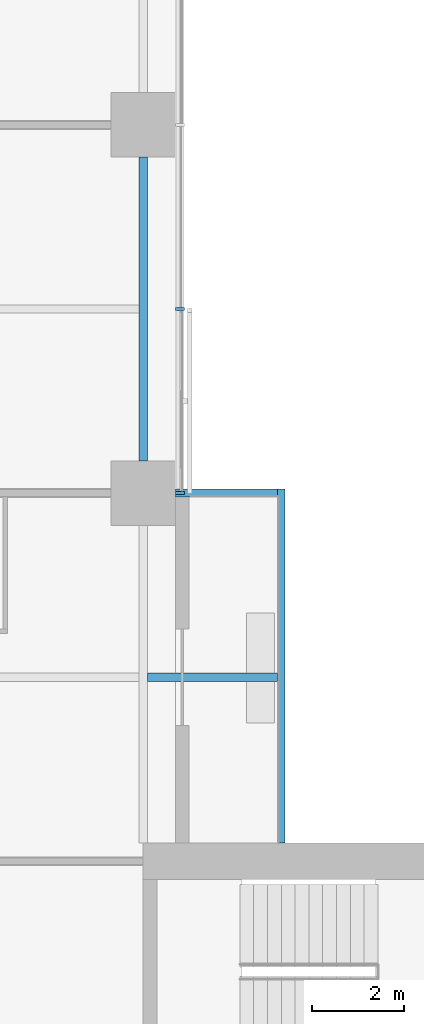
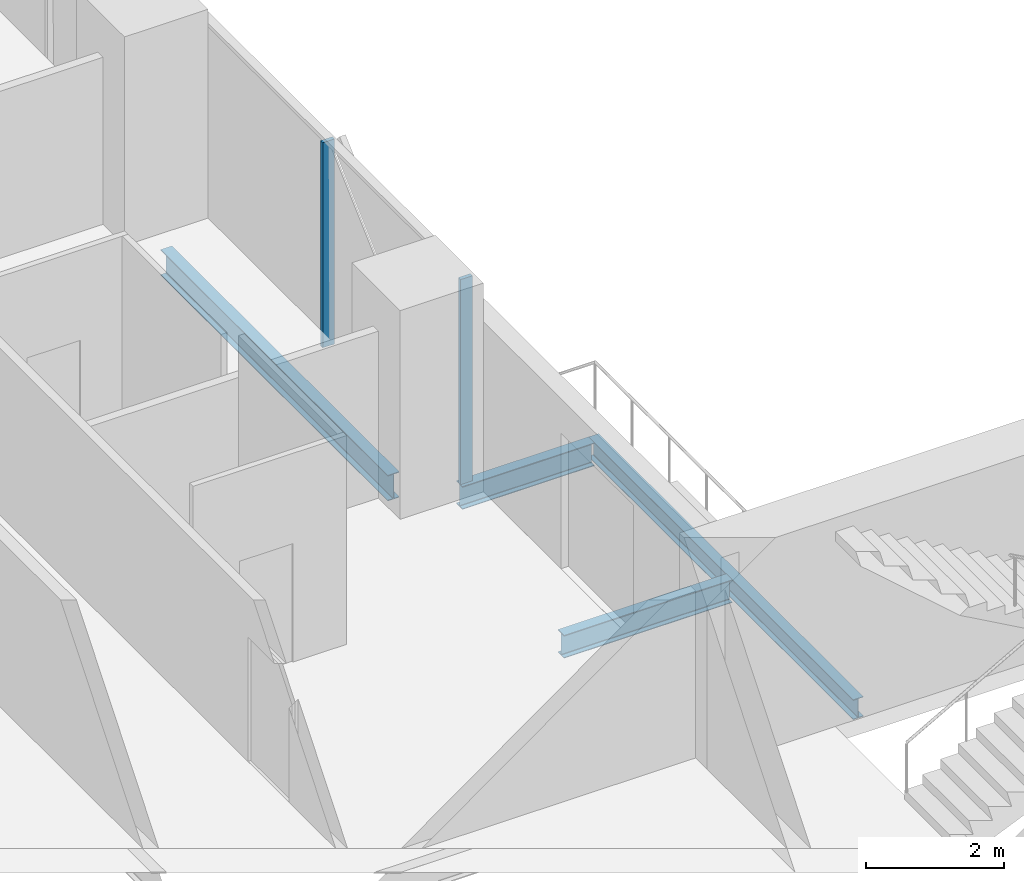
# One storey, part 10 of 27: 4 beams, 2 members, 1 element without a shape of its own.
"""IFC4 building model written with IfcOpenShell, lengths in metres."""

from ifc_helpers import new_model, si_unit, direction, frame, origin, origin_2d, place, context, subcontext, project, spatial, rectangle, i_section, extrude, material, material_profile, profile_set, type_object, element, aggregate, save


model = new_model("IFC4")

# Units and contexts
model_context = context("Model", 3, precision=1e-05, world=origin(), true_north=direction((0.0, 1.0)))
body_context = subcontext(model_context, "Body", "Model", "MODEL_VIEW")
ifc_project = project(units=[si_unit("LENGTHUNIT", "METRE"), si_unit("AREAUNIT", "SQUARE_METRE"), si_unit("VOLUMEUNIT", "CUBIC_METRE"), si_unit("PLANEANGLEUNIT", "RADIAN"), si_unit("MASSUNIT", "GRAM", prefix="KILO")], contexts=[model_context])

# Site, building, storey
site_placement = place(None, origin())
site = spatial("IfcSite", under=ifc_project, at=site_placement, CompositionType="ELEMENT")
building_placement = place(site_placement, origin())
building = spatial("IfcBuilding", under=site, at=building_placement, Name="Crosswind Convention Tower", CompositionType="ELEMENT")
storey_placement = place(building_placement, frame((0.0, 0.0, 94.199951171875)))
storey = spatial("IfcBuildingStorey", under=building, at=storey_placement, Name="L18", CompositionType="ELEMENT", Elevation=94.199951171875)

# Beams
ifc_material_1 = material(Name="Steel S355", Category="steel")
ifc_material_profile_1 = material_profile(ifc_material_1, i_section(OverallWidth=0.177734375, OverallDepth=0.406494140625, WebThickness=0.0078125, FlangeThickness=0.0126953125, FilletRadius=0.01025390625, at=origin_2d()), Name="UB 406x178x60")
ifc_profile_set_1 = profile_set([ifc_material_profile_1], Name="Steel S355")
beam_type_1 = type_object("IfcBeamType", Name="Balcony cantilever UB 406x178x60", PredefinedType="BEAM", material=ifc_profile_set_1)
beam_1_placement = place(storey_placement, frame((137.09521484375, 116.0, -0.483154296875), z_axis=(1.0, 0.0, 0.0), x_axis=(0.0, 1.0, 0.0)))
element("IfcBeam", 1, at=beam_1_placement, inside=storey, type_object=beam_type_1, Name="B35 L18 balcony cantilever NE 1", PredefinedType="BEAM", context=body_context, shape_type="SweptSolid", body=[
    extrude(i_section(OverallWidth=0.177734375, OverallDepth=0.406494140625, WebThickness=0.0078125, FlangeThickness=0.0126953125, FilletRadius=0.01025390625, at=origin_2d()), origin(), (0.0, 0.0, 1.0), 2.8193359375),
])
beam_2_placement = place(storey_placement, frame((137.699951171875, 120.0, -0.483154296875), z_axis=(1.0, 0.0, 0.0), x_axis=(0.0, 1.0, 0.0)))
element("IfcBeam", 2, at=beam_2_placement, inside=storey, type_object=beam_type_1, Name="B35 L18 balcony cantilever NE 2", PredefinedType="BEAM", context=body_context, shape_type="SweptSolid", body=[
    extrude(i_section(OverallWidth=0.177734375, OverallDepth=0.406494140625, WebThickness=0.0078125, FlangeThickness=0.0126953125, FilletRadius=0.01025390625, at=origin_2d()), origin(), (0.0, 0.0, 1.0), 2.214599609375),
])
ifc_material_profile_2 = material_profile(ifc_material_1, i_section(OverallWidth=0.1708984375, OverallDepth=0.35205078125, WebThickness=0.0068359375, FlangeThickness=0.009765625, FilletRadius=0.01025390625, at=origin_2d()), Name="UB 356x171x45")
ifc_profile_set_2 = profile_set([ifc_material_profile_2], Name="Steel S355")
beam_type_2 = type_object("IfcBeamType", Name="Balcony edge beam UB 356x171x45", PredefinedType="BEAM", material=ifc_profile_set_2)
beam_3_placement = place(storey_placement, frame((140.0, 112.39990234375, -0.4560546875), z_axis=(0.0, 1.0, 0.0), x_axis=(-1.0, 0.0, 0.0)))
element("IfcBeam", 3, at=beam_3_placement, inside=storey, type_object=beam_type_2, Name="B37 L18 balcony edge beam NE 3", PredefinedType="BEAM", context=body_context, shape_type="SweptSolid", body=[
    extrude(i_section(OverallWidth=0.1708984375, OverallDepth=0.35205078125, WebThickness=0.0068359375, FlangeThickness=0.009765625, FilletRadius=0.01025390625, at=origin_2d()), origin(), (0.0, 0.0, 1.0), 7.68896484375),
])
ifc_material_profile_3 = material_profile(ifc_material_1, i_section(OverallWidth=0.1904296875, OverallDepth=0.457275390625, WebThickness=0.009033203125, FlangeThickness=0.014404296875, FilletRadius=0.01025390625, at=origin_2d()), Name="UB 457x191x75")
ifc_profile_set_3 = profile_set([ifc_material_profile_3], Name="Steel S355")
beam_type_3 = type_object("IfcBeamType", Name="Edge beam UB 457x191x75", PredefinedType="SPANDREL", material=ifc_profile_set_3)
beam_4_placement = place(storey_placement, frame((137.0, 120.699951171875, -0.508544921875), z_axis=(0.0, 1.0, 0.0), x_axis=(-1.0, 0.0, 0.0)))
element("IfcBeam", 4, at=beam_4_placement, inside=storey, type_object=beam_type_3, Name="B17 L18 edge beam 22", PredefinedType="SPANDREL", context=body_context, shape_type="SweptSolid", body=[
    extrude(i_section(OverallWidth=0.1904296875, OverallDepth=0.457275390625, WebThickness=0.009033203125, FlangeThickness=0.014404296875, FilletRadius=0.01025390625, at=origin_2d()), origin(), (0.0, 0.0, 1.0), 6.60009765625),
])

# Curtain wall, members
ifc_material_2 = material(Name="Aluminium unitised curtain wall", Category="aluminium")
curtain_wall_type = type_object("IfcCurtainWallType", Name="HOTEL UNITISED WALL 200", PredefinedType="USERDEFINED", material=ifc_material_2)
curtain_wall_placement = place(storey_placement, origin())
curtain_wall = element("IfcCurtainWall", 5, at=curtain_wall_placement, inside=storey, type_object=curtain_wall_type, Name="CW2 L18 N-E 1", ObjectType="UNITISED", PredefinedType="USERDEFINED")
ifc_material_3 = material(Name="Aluminium mullion", Category="aluminium")
ifc_material_profile_4 = material_profile(ifc_material_3, rectangle(XDim=0.199951171875, YDim=0.06494140625, at=origin_2d()), Name="AL 200X65")
ifc_profile_set_4 = profile_set([ifc_material_profile_4], Name="Aluminium mullion")
member_type = type_object("IfcMemberType", Name="MULLION 65X200", PredefinedType="MULLION", material=ifc_profile_set_4)
member_1_placement = place(storey_placement, frame((137.800048828125, 120.0, -0.280029296875), z_axis=(0.0, 0.0, 1.0), x_axis=(1.0, 0.0, 0.0)))
member_1 = element("IfcMember", 6, at=member_1_placement, type_object=member_type, Name="CW2 mullion 1", PredefinedType="MULLION", context=body_context, shape_type="SweptSolid", body=[
    extrude(rectangle(XDim=0.199951171875, YDim=0.06494140625, at=origin_2d()), origin(), (0.0, 0.0, 1.0), 3.635009765625),
])
member_2_placement = place(storey_placement, frame((137.800048828125, 124.0, -0.280029296875), z_axis=(0.0, 0.0, 1.0), x_axis=(1.0, 0.0, 0.0)))
member_2 = element("IfcMember", 7, at=member_2_placement, type_object=member_type, Name="CW2 mullion 2", PredefinedType="MULLION", context=body_context, shape_type="SweptSolid", body=[
    extrude(rectangle(XDim=0.199951171875, YDim=0.06494140625, at=origin_2d()), origin(), (0.0, 0.0, 1.0), 3.635009765625),
])
aggregate(curtain_wall, [member_1, member_2])

save(model, "model.ifc")
